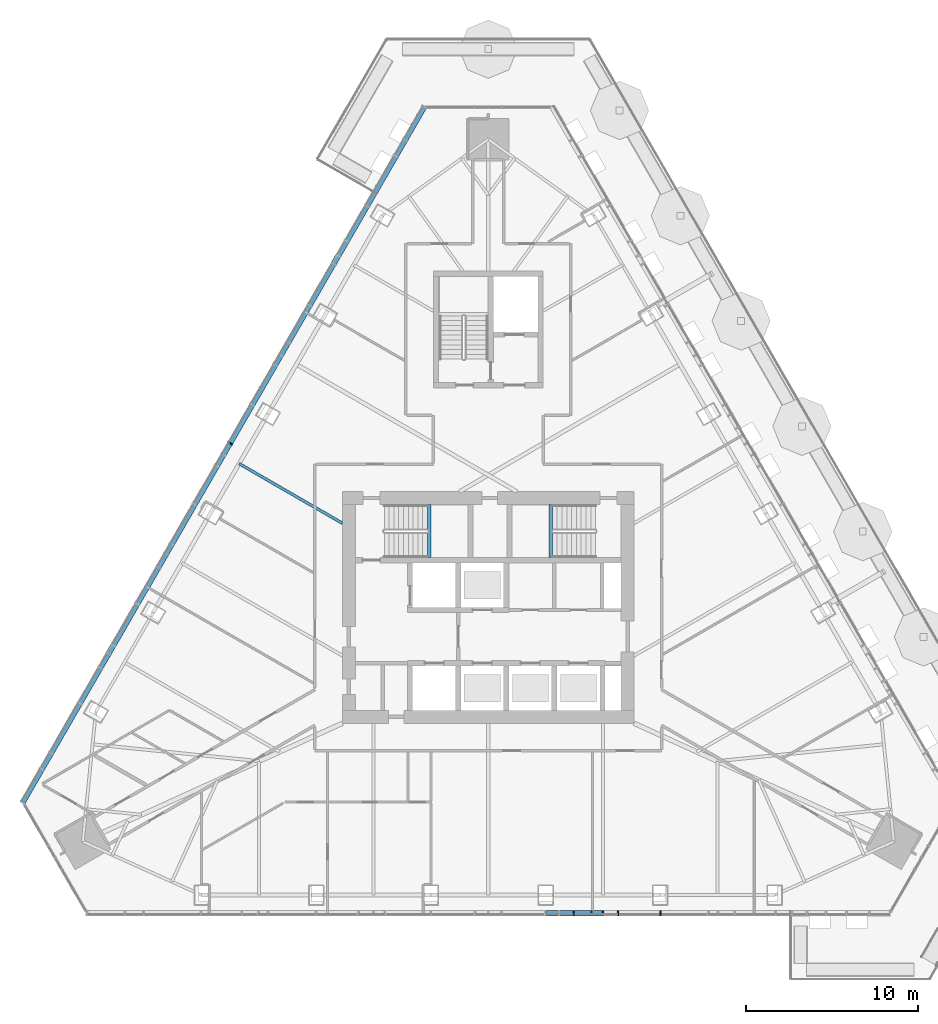
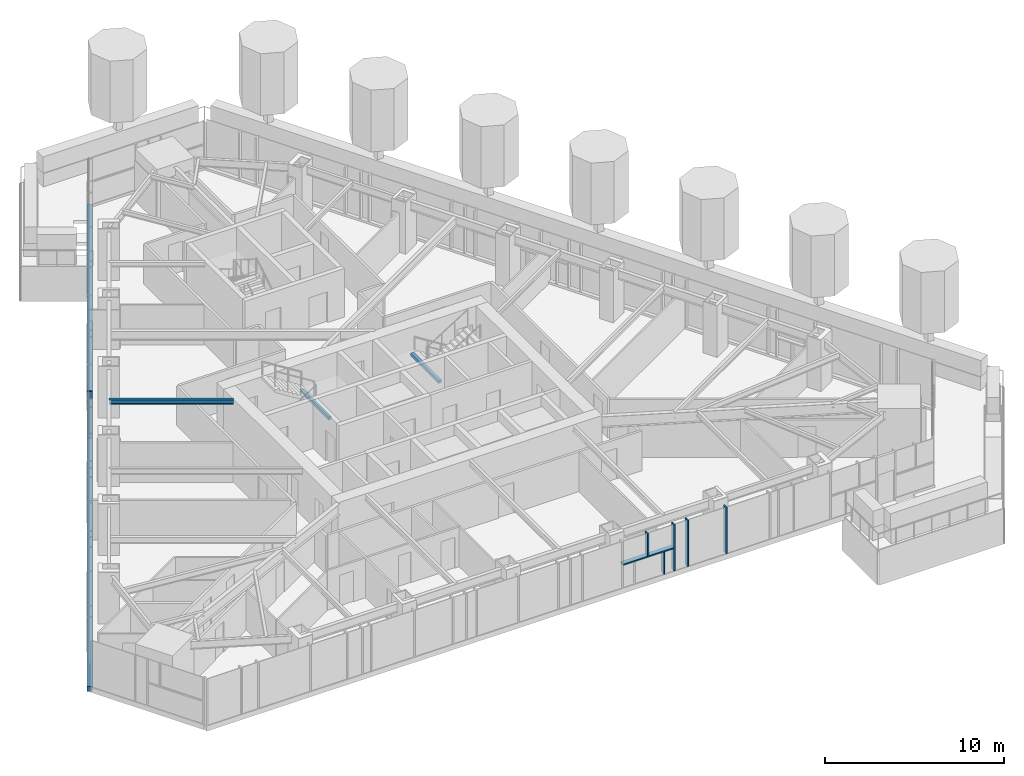
# One storey, part 4 of 24: 8 members, 3 beams, 2 elements without a shape of their own.
"""IFC4 building model written with IfcOpenShell, lengths in metres."""

from ifc_helpers import new_model, si_unit, direction, frame, origin, origin_2d, place, context, subcontext, project, spatial, rectangle, i_section, extrude, material, layer, layer_set, material_profile, profile_set, type_object, element, aggregate, save


model = new_model("IFC4")

# Units and contexts
model_context = context("Model", 3, precision=1e-05, world=origin(), true_north=direction((0.0, 1.0)))
body_context = subcontext(model_context, "Body", "Model", "MODEL_VIEW")
ifc_project = project(units=[si_unit("LENGTHUNIT", "METRE"), si_unit("AREAUNIT", "SQUARE_METRE"), si_unit("VOLUMEUNIT", "CUBIC_METRE"), si_unit("PLANEANGLEUNIT", "RADIAN"), si_unit("MASSUNIT", "GRAM", prefix="KILO")], contexts=[model_context])

# Site, building, storey
site_placement = place(None, origin())
site = spatial("IfcSite", under=ifc_project, at=site_placement, CompositionType="ELEMENT")
building_placement = place(site_placement, origin())
building = spatial("IfcBuilding", under=site, at=building_placement, Name="Firuza Gate Tower and Library", CompositionType="ELEMENT")
storey_placement = place(building_placement, frame((0.0, 0.0, 267.10009765625)))
storey = spatial("IfcBuildingStorey", under=building, at=storey_placement, Name="L63", CompositionType="ELEMENT", Elevation=267.10009765625)

# Curtain wall, members
ifc_material_1 = material(Name="Aluminium 6063-T6", Category="aluminium")
ifc_layer = layer(ifc_material_1, 0.14990234375)
ifc_layer_set = layer_set([ifc_layer], Name="Unitised curtain wall, residences")
curtain_wall_type = type_object("IfcCurtainWallType", Name="Unitised curtain wall, residences", PredefinedType="NOTDEFINED", material=ifc_layer_set)
placement = place(storey_placement, origin())
curtain_wall_1 = element("IfcCurtainWall", 1, at=placement, inside=storey, type_object=curtain_wall_type, Name="CW3 L63 S face", PredefinedType="NOTDEFINED")
ifc_material_2 = material(Name="Aluminium 6063-T6", Category="aluminium")
ifc_material_profile_1 = material_profile(ifc_material_2, rectangle(XDim=0.320068359375, YDim=0.080078125, at=origin_2d()))
ifc_profile_set_1 = profile_set([ifc_material_profile_1], Name="Aluminium 6063-T6")
member_type_1 = type_object("IfcMemberType", Name="Curtain wall mullion 80x320", PredefinedType="MULLION", material=ifc_profile_set_1)
member_1_placement = place(storey_placement, frame((81.695068359375, 57.17919921875, 0.14990234375), z_axis=(0.0, 0.0, 1.0), x_axis=(0.0, 1.0, 0.0)))
member_1 = element("IfcMember", 2, at=member_1_placement, type_object=member_type_1, Name="Mullion", PredefinedType="MULLION", context=body_context, shape_type="SweptSolid", body=[
    extrude(rectangle(XDim=0.320068359375, YDim=0.080078125, at=origin_2d()), origin(), (0.0, 0.0, 1.0), 3.14990234375),
])
member_2_placement = place(storey_placement, frame((85.04248046875, 57.17919921875, 0.14990234375), z_axis=(0.0, 0.0, 1.0), x_axis=(0.0, 1.0, 0.0)))
member_2 = element("IfcMember", 3, at=member_2_placement, type_object=member_type_1, Name="Mullion", PredefinedType="MULLION", context=body_context, shape_type="SweptSolid", body=[
    extrude(rectangle(XDim=0.320068359375, YDim=0.080078125, at=origin_2d()), origin(), (0.0, 0.0, 1.0), 3.14990234375),
])
member_3_placement = place(storey_placement, frame((81.031494140625, 57.17919921875, 0.14990234375), z_axis=(0.0, 0.0, 1.0), x_axis=(0.0, 1.0, 0.0)))
member_3 = element("IfcMember", 4, at=member_3_placement, type_object=member_type_1, Name="Mullion", PredefinedType="MULLION", context=body_context, shape_type="SweptSolid", body=[
    extrude(rectangle(XDim=0.320068359375, YDim=0.080078125, at=origin_2d()), origin(), (0.0, 0.0, 1.0), 1.534912109375),
])
member_4_placement = place(storey_placement, frame((79.985595703125, 57.17919921875, 1.764892578125), z_axis=(0.0, 0.0, 1.0), x_axis=(0.0, 1.0, 0.0)))
member_4 = element("IfcMember", 5, at=member_4_placement, type_object=member_type_1, Name="Mullion", PredefinedType="MULLION", context=body_context, shape_type="SweptSolid", body=[
    extrude(rectangle(XDim=0.320068359375, YDim=0.080078125, at=origin_2d()), origin(), (0.0, 0.0, 1.0), 1.534912109375),
])
member_5_placement = place(storey_placement, frame((82.568603515625, 57.17919921875, 0.14990234375), z_axis=(0.0, 0.0, 1.0), x_axis=(0.0, 1.0, 0.0)))
member_5 = element("IfcMember", 6, at=member_5_placement, type_object=member_type_1, Name="Mullion", PredefinedType="MULLION", context=body_context, shape_type="SweptSolid", body=[
    extrude(rectangle(XDim=0.320068359375, YDim=0.080078125, at=origin_2d()), origin(), (0.0, 0.0, 1.0), 3.14990234375),
])

curtain_wall_2 = element("IfcCurtainWall", 7, at=placement, inside=storey, type_object=curtain_wall_type, Name="CW3 L63 W face", PredefinedType="NOTDEFINED")
member_6_placement = place(storey_placement, frame((59.950927734375, 84.575927734375, 0.14990234375), z_axis=(0.0, 0.0, 1.0), x_axis=(0.866025403784, -0.5, 0.0)))
member_6 = element("IfcMember", 8, at=member_6_placement, type_object=member_type_1, Name="Mullion", PredefinedType="MULLION", context=body_context, shape_type="SweptSolid", body=[
    extrude(rectangle(XDim=0.320068359375, YDim=0.080078125, at=origin_2d()), origin(), (0.0, 0.0, 1.0), 3.14990234375),
])
ifc_material_3 = material(Name="Aluminium 6063-T6", Category="aluminium")
ifc_material_profile_2 = material_profile(ifc_material_3, rectangle(XDim=0.320068359375, YDim=0.35009765625, at=origin_2d()))
ifc_profile_set_2 = profile_set([ifc_material_profile_2], Name="Aluminium 6063-T6")
member_type_2 = type_object("IfcMemberType", Name="Curtain wall transom 350x320", PredefinedType="USERDEFINED", material=ifc_profile_set_2)
member_7_placement = place(storey_placement, frame((71.283203125, 104.20361328125, -0.025146484375), z_axis=(-0.500004440558, -0.866022840012, 0.0), x_axis=(0.866022840012, -0.500004440558, 0.0)))
member_7 = element("IfcMember", 9, at=member_7_placement, type_object=member_type_2, Name="Transom", ObjectType="TRANSOM", PredefinedType="USERDEFINED", context=body_context, shape_type="SweptSolid", body=[
    extrude(rectangle(XDim=0.320068359375, YDim=0.35009765625, at=origin_2d()), origin(), (0.0, 0.0, 1.0), 46.865234375),
])
aggregate(curtain_wall_2, [member_7, member_6])

# Member
ifc_material_4 = material(Name="Aluminium 6063-T6", Category="aluminium")
ifc_material_profile_3 = material_profile(ifc_material_4, rectangle(XDim=0.320068359375, YDim=0.080078125, at=origin_2d()))
ifc_profile_set_3 = profile_set([ifc_material_profile_3], Name="Aluminium 6063-T6")
member_type_3 = type_object("IfcMemberType", Name="Curtain wall transom 80x320", PredefinedType="USERDEFINED", material=ifc_profile_set_3)
member_8_placement = place(storey_placement, frame((78.387451171875, 57.17919921875, 1.724853515625), z_axis=(1.0, 0.0, 0.0), x_axis=(0.0, 1.0, 0.0)))
member_8 = element("IfcMember", 10, at=member_8_placement, type_object=member_type_3, Name="Transom", ObjectType="TRANSOM", PredefinedType="USERDEFINED", context=body_context, shape_type="SweptSolid", body=[
    extrude(rectangle(XDim=0.320068359375, YDim=0.080078125, at=origin_2d()), origin(), (0.0, 0.0, 1.0), 3.267578125),
])

aggregate(curtain_wall_1, [member_1, member_2, member_3, member_4, member_8, member_5])

# Beams
ifc_material_5 = material(Name="Concrete C35/45", Category="concrete")
ifc_material_profile_4 = material_profile(ifc_material_5, rectangle(XDim=0.199951171875, YDim=0.199951171875, at=origin_2d()))
ifc_profile_set_4 = profile_set([ifc_material_profile_4], Name="Concrete C35/45")
beam_type_1 = type_object("IfcBeamType", Name="Stair landing bearer 200x200", PredefinedType="BEAM", material=ifc_profile_set_4)
for number, where, z_axis, x_axis, name in (
    (11, (71.56005859375, 77.89990234375, 1.449951171875), (0.0, 1.0, 0.0), (-1.0, 0.0, 0.0), "Landing bearer L63 stair 1"),
    (12, (78.639892578125, 81.0, 1.449951171875), (0.0, -1.0, 0.0), (1.0, 0.0, 0.0), "Landing bearer L63 stair 2"),
):
    element("IfcBeam", number, at=place(storey_placement, frame(where, z_axis=z_axis, x_axis=x_axis)), inside=storey, type_object=beam_type_1, Name=name, PredefinedType="BEAM", context=body_context, shape_type="SweptSolid", body=[
        extrude(rectangle(XDim=0.199951171875, YDim=0.199951171875, at=origin_2d()), origin(), (0.0, 0.0, 1.0), 3.10009765625),
    ])
ifc_material_6 = material(Name="Steel S355", Category="steel")
ifc_material_profile_5 = material_profile(ifc_material_6, i_section(OverallWidth=0.1650390625, OverallDepth=0.31005859375, WebThickness=0.005859375, FlangeThickness=0.009765625, at=origin_2d()))
ifc_profile_set_5 = profile_set([ifc_material_profile_5], Name="Steel S355")
beam_type_2 = type_object("IfcBeamType", Name="W310x39 Floor beam", PredefinedType="JOIST", material=ifc_profile_set_5)
beam_placement = place(storey_placement, frame((60.48486328125, 83.38037109375, 3.14501953125), z_axis=(0.86602168897, -0.500006434191, 0.0), x_axis=(0.500006434191, 0.86602168897, 0.0)))
element("IfcBeam", 13, at=beam_placement, inside=storey, type_object=beam_type_2, Name="Floor beam L63 s82", PredefinedType="JOIST", context=body_context, shape_type="SweptSolid", body=[
    extrude(i_section(OverallWidth=0.1650390625, OverallDepth=0.31005859375, WebThickness=0.005859375, FlangeThickness=0.009765625, at=origin_2d()), origin(), (0.0, 0.0, 1.0), 6.94580078125),
])

save(model, "model.ifc")
